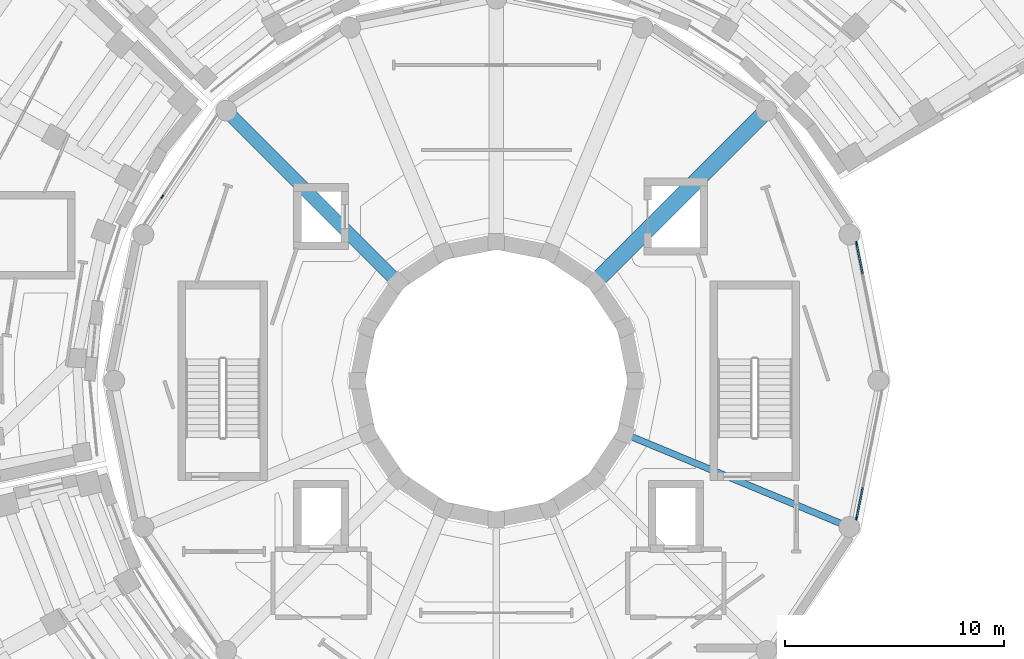
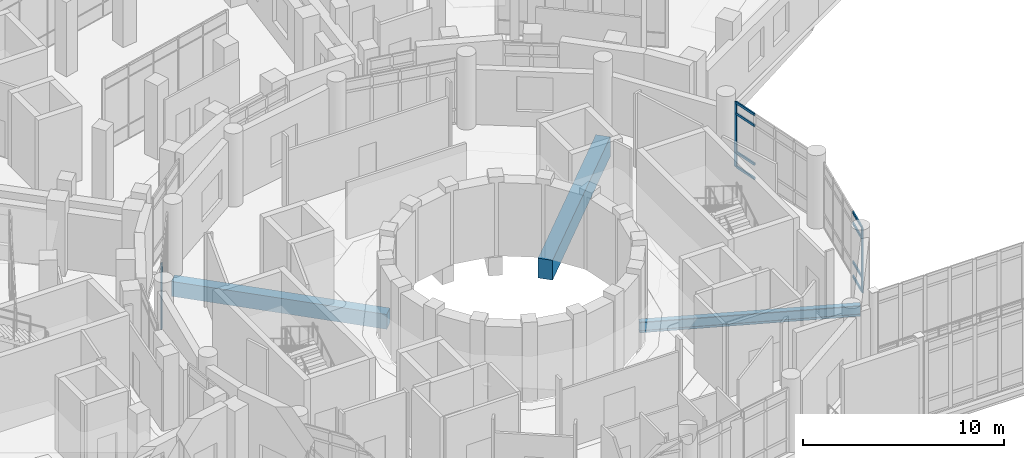
# One storey, part 15 of 89: 11 members, 3 beams, 3 elements without a shape of their own.
"""IFC4 building model written with IfcOpenShell, lengths in metres."""

import ifcopenshell
import ifcopenshell.guid

model = None  # the IFC model being written
_history = None  # IfcOwnerHistory: only IFC2X3 demands one
_inside = {}  # id of a spatial element -> (the spatial element, [elements in it])
_under = {}  # id of a project, library or spatial element -> (it, [spatial elements below it])
_declared = {}  # id of a project -> (the project, [libraries it declares])
_typed = {}  # id of a type object -> (the type object, [elements of that type])
_made_of = {}  # id of a material, layer set ... -> (it, [elements and type objects made of it])


def new_model(schema):
    """Start an empty IFC model of exactly this schema.

    Asked for "IFC4X3", IfcOpenShell would pick the latest addendum, in which some entities
    have other attributes; the version numbers below select the first issue.
    IFC2X3 requires an IfcOwnerHistory on every rooted entity: one is made here for all.
    """
    global model, _history
    if schema == "IFC4X3":
        model = ifcopenshell.file(schema_version=(4, 3, 0, 0))
    else:
        model = ifcopenshell.file(schema=schema)
    _inside.clear()
    _under.clear()
    _declared.clear()
    _typed.clear()
    _made_of.clear()
    _history = None
    if model.schema == "IFC2X3":
        org = make("IfcOrganization", Name="unknown")
        user = make(
            "IfcPersonAndOrganization",
            ThePerson=make("IfcPerson", FamilyName="unknown"),
            TheOrganization=org,
        )
        app = make(
            "IfcApplication",
            ApplicationDeveloper=org,
            Version="unknown",
            ApplicationFullName="unknown",
            ApplicationIdentifier="unknown",
        )
        _history = make(
            "IfcOwnerHistory",
            OwningUser=user,
            OwningApplication=app,
            ChangeAction="ADDED",
            CreationDate=0,
        )
    return model


def make(cls, **values):
    """One entity of the class cls with the attributes given. An attribute that is None is left unset."""
    return model.create_entity(
        cls, **{name: value for name, value in values.items() if value is not None}
    )


def rooted(cls, **values):
    """An entity with a GlobalId (a new one), such as an element, a storey or a relation."""
    return make(cls, GlobalId=ifcopenshell.guid.new(), OwnerHistory=_history, **values)


def si_unit(unit_type, name, prefix=None):
    """IfcSIUnit, for example si_unit("LENGTHUNIT", "METRE", prefix="MILLI")."""
    return make("IfcSIUnit", UnitType=unit_type, Prefix=prefix, Name=name)


def assignment(units):
    """IfcUnitAssignment: the units of a project."""
    return None if units is None else make("IfcUnitAssignment", Units=units)


def point(xyz):
    """IfcCartesianPoint."""
    return None if xyz is None else make("IfcCartesianPoint", Coordinates=xyz)


def direction(xyz):
    """IfcDirection."""
    return None if xyz is None else make("IfcDirection", DirectionRatios=xyz)


def frame(location, z_axis=None, x_axis=None):
    """IfcAxis2Placement3D, a coordinate frame: its origin and axes. An axis left out is left unset."""
    return make(
        "IfcAxis2Placement3D",
        Location=point(location),
        Axis=direction(z_axis),
        RefDirection=direction(x_axis),
    )


def frame_2d(location, x_axis=None):
    """IfcAxis2Placement2D, a coordinate frame in the plane: its origin and x axis."""
    return make(
        "IfcAxis2Placement2D", Location=point(location), RefDirection=direction(x_axis)
    )


def origin():
    """The frame at (0, 0, 0) with its axes left unset."""
    return frame((0.0, 0.0, 0.0))


def origin_2d():
    """The frame at (0, 0) in the plane with its x axis left unset."""
    return frame_2d((0.0, 0.0))


def place(relative_to, where):
    """IfcLocalPlacement: puts the frame where relative to a parent placement (None: the world)."""
    return make(
        "IfcLocalPlacement", PlacementRelTo=relative_to, RelativePlacement=where
    )


def context(
    kind, dimensions, precision=None, world=None, true_north=None, identifier=None
):
    """IfcGeometricRepresentationContext, for example the 3D "Model" context."""
    return make(
        "IfcGeometricRepresentationContext",
        ContextIdentifier=identifier,
        ContextType=kind,
        CoordinateSpaceDimension=dimensions,
        Precision=precision,
        WorldCoordinateSystem=world,
        TrueNorth=true_north,
    )


def subcontext(parent, identifier, kind, view, scale=None):
    """IfcGeometricRepresentationSubContext, for example "Body" below "Model"."""
    return make(
        "IfcGeometricRepresentationSubContext",
        ContextIdentifier=identifier,
        ContextType=kind,
        ParentContext=parent,
        TargetScale=scale,
        TargetView=view,
    )


def project(units=None, contexts=None):
    """IfcProject with its units and contexts."""
    return rooted(
        "IfcProject",
        Name="project",
        RepresentationContexts=contexts,
        UnitsInContext=assignment(units),
    )


def spatial(cls, under=None, at=None, **own):
    """A site, building, storey or space (cls), placed at a placement, below another one or the project."""
    s = rooted(cls, ObjectPlacement=at, **own)
    if under is not None:
        _under.setdefault(under.id(), (under, []))[1].append(s)
    return s


def profile(cls, at=None, kind="AREA", **sizes):
    """A parametric profile (cls). Its sizes go by their IFC names, for example OverallWidth=200.0."""
    return make(cls, ProfileType=kind, Position=at, **sizes)


def rectangle(**sizes):
    """IfcRectangleProfileDef."""
    return profile("IfcRectangleProfileDef", **sizes)


def i_section(**sizes):
    """IfcIShapeProfileDef."""
    return profile("IfcIShapeProfileDef", **sizes)


def extrude(swept, where, along, depth):
    """IfcExtrudedAreaSolid: the profile swept, set in the frame where, extruded along a direction by depth."""
    return make(
        "IfcExtrudedAreaSolid",
        SweptArea=swept,
        Position=where,
        ExtrudedDirection=direction(along),
        Depth=depth,
    )


def shape(context_of_items, identifier, shape_type, items):
    """IfcShapeRepresentation: the items that make up one representation, for example the "Body"."""
    return make(
        "IfcShapeRepresentation",
        ContextOfItems=context_of_items,
        RepresentationIdentifier=identifier,
        RepresentationType=shape_type,
        Items=items,
    )


def material(Name=None, Category=None):
    """IfcMaterial."""
    return make("IfcMaterial", Name=Name, Category=Category)


def material_profile(
    of_material, cross_section, Name=None, Category=None, Priority=None
):
    """IfcMaterialProfile: a cross section and its material."""
    return make(
        "IfcMaterialProfile",
        Name=Name,
        Material=of_material,
        Profile=cross_section,
        Priority=Priority,
        Category=Category,
    )


def profile_set(profiles, Name=None, composite=None):
    """IfcMaterialProfileSet."""
    return make(
        "IfcMaterialProfileSet",
        Name=Name,
        MaterialProfiles=profiles,
        CompositeProfile=composite,
    )


def made_of(thing, what):
    """Note that an element or type object is made of a material, layer set ...; save() writes the relation."""
    if what is not None:
        _made_of.setdefault(what.id(), (what, []))[1].append(thing)
    return thing


def type_object(cls, material=None, **own):
    """A type object (cls), such as IfcWallType, which elements share."""
    return made_of(rooted(cls, **own), material)


def element(
    cls,
    number,
    at=None,
    inside=None,
    cuts=None,
    type_object=None,
    material=None,
    context=None,
    identifier="Body",
    shape_type=None,
    held_by="IfcProductDefinitionShape",
    body=None,
    shapes=None,
    **own,
):
    """One element of the class cls, such as IfcWall. Its Tag is "e" and its number.

    at: its placement. inside: the storey or other place that contains it. cuts: it is an
    opening in that element (IfcRelVoidsElement). A single representation is given by context,
    identifier, shape_type and body (its items); several are given by shapes. held_by: the class
    of the entity that holds the representations. save() writes the other relations.
    """
    e = rooted(cls, Tag="e%d" % number, ObjectPlacement=at, **own)
    if body is not None:
        shapes = [shape(context, identifier, shape_type, body)]
    if shapes is not None:
        e.Representation = make(held_by, Representations=shapes)
    if inside is not None:
        _inside.setdefault(inside.id(), (inside, []))[1].append(e)
    if cuts is not None:
        rooted(
            "IfcRelVoidsElement", RelatingBuildingElement=cuts, RelatedOpeningElement=e
        )
    if type_object is not None:
        _typed.setdefault(type_object.id(), (type_object, []))[1].append(e)
    return made_of(e, material)


def aggregate(whole, parts):
    """IfcRelAggregates: a whole, such as a stair, and the parts it consists of."""
    return rooted("IfcRelAggregates", RelatingObject=whole, RelatedObjects=parts)


def save(model, path):
    """Write the relations noted so far, then the file.

    IfcRelAggregates (storeys below a building ...), IfcRelContainedInSpatialStructure (elements
    in a storey), IfcRelDefinesByType, IfcRelAssociatesMaterial and IfcRelDeclares: one each for
    every whole, place, type object, material and project.
    """
    for whole, parts in _under.values():
        aggregate(whole, parts)
    for where, things in _inside.values():
        rooted(
            "IfcRelContainedInSpatialStructure",
            RelatedElements=things,
            RelatingStructure=where,
        )
    for kind, things in _typed.values():
        rooted("IfcRelDefinesByType", RelatedObjects=things, RelatingType=kind)
    for what, things in _made_of.values():
        rooted("IfcRelAssociatesMaterial", RelatedObjects=things, RelatingMaterial=what)
    for by, libraries in _declared.values():
        rooted("IfcRelDeclares", RelatingContext=by, RelatedDefinitions=libraries)
    model.write(path)


model = new_model("IFC4")

# Units and contexts
model_context = context("Model", 3, precision=1e-05, world=origin(), true_north=direction((0.0, 1.0)))
body_context = subcontext(model_context, "Body", "Model", "MODEL_VIEW")
ifc_project = project(units=[si_unit("LENGTHUNIT", "METRE"), si_unit("AREAUNIT", "SQUARE_METRE"), si_unit("VOLUMEUNIT", "CUBIC_METRE"), si_unit("PLANEANGLEUNIT", "RADIAN"), si_unit("MASSUNIT", "GRAM", prefix="KILO")], contexts=[model_context])

# Site, building, storey
site_placement = place(None, origin())
site = spatial("IfcSite", under=ifc_project, at=site_placement, CompositionType="ELEMENT")
building_placement = place(site_placement, origin())
building = spatial("IfcBuilding", under=site, at=building_placement, Name="Soyqirgoq Riverine Aquarium", CompositionType="ELEMENT")
storey_placement = place(building_placement, frame((0.0, 0.0, 5.39990234375)))
storey = spatial("IfcBuildingStorey", under=building, at=storey_placement, Name="L02", CompositionType="ELEMENT", Elevation=5.39990234375)

# Curtain wall, member
ifc_material_1 = material(Name="Anodised aluminium thermally broken triple low-E glazing", Category="aluminium")
curtain_wall_type = type_object("IfcCurtainWallType", Name="CW_DrumGallery_Unitised", PredefinedType="NOTDEFINED", material=ifc_material_1)
curtain_wall_1_placement = place(storey_placement, origin())
curtain_wall_1 = element("IfcCurtainWall", 1, at=curtain_wall_1_placement, inside=storey, type_object=curtain_wall_type, Name="V1 L02 Curtain Wall 002", PredefinedType="NOTDEFINED")
ifc_material_2 = material(Name="Anodised aluminium 6063-T6", Category="aluminium")
ifc_material_profile_1 = material_profile(ifc_material_2, rectangle(XDim=0.06494140625, YDim=0.179931640625, at=origin_2d()), Name="ALU-M 65x180")
ifc_profile_set_1 = profile_set([ifc_material_profile_1], Name="Anodised aluminium 6063-T6")
member_type_1 = type_object("IfcMemberType", Name="CWMullion_65x180", PredefinedType="MULLION", material=ifc_profile_set_1)
member_1_placement = place(storey_placement, frame((72.452392578125, 63.2724609375, 0.0), z_axis=(0.0, 0.0, 1.0), x_axis=(-0.980785709335, -0.195088165618, 0.0)))
member_1 = element("IfcMember", 2, at=member_1_placement, type_object=member_type_1, Name="CW-01 mullion 5", PredefinedType="MULLION", context=body_context, shape_type="SweptSolid", body=[
    extrude(rectangle(XDim=0.06494140625, YDim=0.179931640625, at=origin_2d()), origin(), (0.0, 0.0, 1.0), 3.9501953125),
])

curtain_wall_2_placement = place(storey_placement, origin())
curtain_wall_2 = element("IfcCurtainWall", 3, at=curtain_wall_2_placement, inside=storey, type_object=curtain_wall_type, Name="V1 L02 Curtain Wall 024", PredefinedType="NOTDEFINED")
member_2_placement = place(storey_placement, frame((40.7392578125, 65.407958984375, 0.0), z_axis=(0.0, 0.0, 1.0), x_axis=(0.8314732256, -0.5555648253, 0.0)))
member_2 = element("IfcMember", 4, at=member_2_placement, type_object=member_type_1, Name="CW-01 mullion 4", PredefinedType="MULLION", context=body_context, shape_type="SweptSolid", body=[
    extrude(rectangle(XDim=0.06494140625, YDim=0.179931640625, at=origin_2d()), origin(), (0.0, 0.0, 1.0), 3.9501953125),
])
aggregate(curtain_wall_2, [member_2])

curtain_wall_3_placement = place(storey_placement, origin())
curtain_wall_3 = element("IfcCurtainWall", 5, at=curtain_wall_3_placement, inside=storey, type_object=curtain_wall_type, Name="V1 L02 Curtain Wall 073", PredefinedType="NOTDEFINED")
member_3_placement = place(storey_placement, frame((72.452392578125, 50.7275390625, 0.0), z_axis=(0.0, 0.0, 1.0), x_axis=(-0.980785709335, 0.195088165618, 0.0)))
member_3 = element("IfcMember", 6, at=member_3_placement, type_object=member_type_1, Name="CW-01 mullion 1", PredefinedType="MULLION", context=body_context, shape_type="SweptSolid", body=[
    extrude(rectangle(XDim=0.06494140625, YDim=0.179931640625, at=origin_2d()), origin(), (0.0, 0.0, 1.0), 3.9501953125),
])

# Member
ifc_material_3 = material(Name="Anodised aluminium 6063-T6", Category="aluminium")
ifc_material_profile_2 = material_profile(ifc_material_3, rectangle(XDim=0.074951171875, YDim=0.14990234375, at=origin_2d()), Name="ALU-T 75x150")
ifc_profile_set_2 = profile_set([ifc_material_profile_2], Name="Anodised aluminium 6063-T6")
member_type_2 = type_object("IfcMemberType", Name="CWTransom_75x150", PredefinedType="USERDEFINED", material=ifc_profile_set_2)
member_4_placement = place(storey_placement, frame((72.729736328125, 61.87744140625, 0.03759765625), z_axis=(-0.194967543169, 0.980809694645, 0.0), x_axis=(-0.980809694645, -0.194967543169, 0.0)))
member_4 = element("IfcMember", 7, at=member_4_placement, type_object=member_type_2, Name="CW-01 transom 4.1", ObjectType="TRANSOM", PredefinedType="USERDEFINED", context=body_context, shape_type="SweptSolid", body=[
    extrude(rectangle(XDim=0.074951171875, YDim=0.14990234375, at=origin_2d()), origin(), (0.0, 0.0, 1.0), 1.389892578125),
])

member_5_placement = place(storey_placement, frame((72.729736328125, 61.87744140625, 0.900146484375), z_axis=(-0.194967543169, 0.980809694645, 0.0), x_axis=(-0.980809694645, -0.194967543169, 0.0)))
member_5 = element("IfcMember", 8, at=member_5_placement, type_object=member_type_2, Name="CW-01 transom 4.2", ObjectType="TRANSOM", PredefinedType="USERDEFINED", context=body_context, shape_type="SweptSolid", body=[
    extrude(rectangle(XDim=0.074951171875, YDim=0.14990234375, at=origin_2d()), origin(), (0.0, 0.0, 1.0), 1.389892578125),
])

member_6_placement = place(storey_placement, frame((72.729736328125, 61.87744140625, 3.25), z_axis=(-0.194967543169, 0.980809694645, 0.0), x_axis=(-0.980809694645, -0.194967543169, 0.0)))
member_6 = element("IfcMember", 9, at=member_6_placement, type_object=member_type_2, Name="CW-01 transom 4.3", ObjectType="TRANSOM", PredefinedType="USERDEFINED", context=body_context, shape_type="SweptSolid", body=[
    extrude(rectangle(XDim=0.074951171875, YDim=0.14990234375, at=origin_2d()), origin(), (0.0, 0.0, 1.0), 1.389892578125),
])

member_7_placement = place(storey_placement, frame((72.729736328125, 61.87744140625, 3.91259765625), z_axis=(-0.194967543169, 0.980809694645, 0.0), x_axis=(-0.980809694645, -0.194967543169, 0.0)))
member_7 = element("IfcMember", 10, at=member_7_placement, type_object=member_type_2, Name="CW-01 transom 4.4", ObjectType="TRANSOM", PredefinedType="USERDEFINED", context=body_context, shape_type="SweptSolid", body=[
    extrude(rectangle(XDim=0.074951171875, YDim=0.14990234375, at=origin_2d()), origin(), (0.0, 0.0, 1.0), 1.389892578125),
])

aggregate(curtain_wall_1, [member_1, member_4, member_5, member_6, member_7])

member_8_placement = place(storey_placement, frame((72.458740234375, 50.75927734375, 0.03759765625), z_axis=(0.194967543169, 0.980809694645, 0.0), x_axis=(-0.980809694645, 0.194967543169, 0.0)))
member_8 = element("IfcMember", 11, at=member_8_placement, type_object=member_type_2, Name="CW-01 transom 1.1", ObjectType="TRANSOM", PredefinedType="USERDEFINED", context=body_context, shape_type="SweptSolid", body=[
    extrude(rectangle(XDim=0.074951171875, YDim=0.14990234375, at=origin_2d()), origin(), (0.0, 0.0, 1.0), 1.389892578125),
])

member_9_placement = place(storey_placement, frame((72.458740234375, 50.75927734375, 0.900146484375), z_axis=(0.194967543169, 0.980809694645, 0.0), x_axis=(-0.980809694645, 0.194967543169, 0.0)))
member_9 = element("IfcMember", 12, at=member_9_placement, type_object=member_type_2, Name="CW-01 transom 1.2", ObjectType="TRANSOM", PredefinedType="USERDEFINED", context=body_context, shape_type="SweptSolid", body=[
    extrude(rectangle(XDim=0.074951171875, YDim=0.14990234375, at=origin_2d()), origin(), (0.0, 0.0, 1.0), 1.389892578125),
])

member_10_placement = place(storey_placement, frame((72.458740234375, 50.75927734375, 3.25), z_axis=(0.194967543169, 0.980809694645, 0.0), x_axis=(-0.980809694645, 0.194967543169, 0.0)))
member_10 = element("IfcMember", 13, at=member_10_placement, type_object=member_type_2, Name="CW-01 transom 1.3", ObjectType="TRANSOM", PredefinedType="USERDEFINED", context=body_context, shape_type="SweptSolid", body=[
    extrude(rectangle(XDim=0.074951171875, YDim=0.14990234375, at=origin_2d()), origin(), (0.0, 0.0, 1.0), 1.389892578125),
])

member_11_placement = place(storey_placement, frame((72.458740234375, 50.75927734375, 3.91259765625), z_axis=(0.194967543169, 0.980809694645, 0.0), x_axis=(-0.980809694645, 0.194967543169, 0.0)))
member_11 = element("IfcMember", 14, at=member_11_placement, type_object=member_type_2, Name="CW-01 transom 1.4", ObjectType="TRANSOM", PredefinedType="USERDEFINED", context=body_context, shape_type="SweptSolid", body=[
    extrude(rectangle(XDim=0.074951171875, YDim=0.14990234375, at=origin_2d()), origin(), (0.0, 0.0, 1.0), 1.389892578125),
])

aggregate(curtain_wall_3, [member_3, member_8, member_9, member_10, member_11])

# Beams
ifc_material_4 = material(Name="Concrete C40/50", Category="concrete")
ifc_material_profile_3 = material_profile(ifc_material_4, rectangle(XDim=0.60009765625, YDim=0.89990234375, at=origin_2d()), Name="RC 600x900")
ifc_profile_set_3 = profile_set([ifc_material_profile_3], Name="Concrete C40/50")
beam_type_1 = type_object("IfcBeamType", Name="Girder_RC_600x900", PredefinedType="BEAM", material=ifc_profile_set_3)
beam_1_placement = place(storey_placement, frame((51.502685546875, 61.497314453125, -0.7998046875), z_axis=(-0.707106781187, 0.707106781187, 0.0), x_axis=(-0.707106781187, -0.707106781187, 0.0)))
element("IfcBeam", 15, at=beam_1_placement, inside=storey, type_object=beam_type_1, Name="V1 L02 Gallery Radial Beam 0044", PredefinedType="BEAM", context=body_context, shape_type="SweptSolid", body=[
    extrude(rectangle(XDim=0.60009765625, YDim=0.89990234375, at=origin_2d()), origin(), (0.0, 0.0, 1.0), 11.07958984375),
])
ifc_material_5 = material(Name="Concrete C40/50", Category="concrete")
ifc_material_profile_4 = material_profile(ifc_material_5, rectangle(XDim=0.75, YDim=1.199951171875, at=origin_2d()), Name="RC 750x1200")
ifc_profile_set_4 = profile_set([ifc_material_profile_4], Name="Concrete C40/50")
beam_type_2 = type_object("IfcBeamType", Name="Girder_RC_750x1200", PredefinedType="BEAM", material=ifc_profile_set_4)
beam_2_placement = place(storey_placement, frame((60.497314453125, 61.497314453125, -0.949951171875), z_axis=(0.707106781187, 0.707106781187, 0.0), x_axis=(-0.707106781187, 0.707106781187, 0.0)))
element("IfcBeam", 16, at=beam_2_placement, inside=storey, type_object=beam_type_2, Name="V1 L02 Gallery Radial Beam 0036", PredefinedType="BEAM", context=body_context, shape_type="SweptSolid", body=[
    extrude(rectangle(XDim=0.75, YDim=1.199951171875, at=origin_2d()), origin(), (0.0, 0.0, 1.0), 11.07958984375),
])
ifc_material_6 = material(Name="Structural steel S355", Category="steel")
ifc_material_profile_5 = material_profile(ifc_material_6, i_section(OverallWidth=0.300048828125, OverallDepth=0.64990234375, WebThickness=0.01611328125, FlangeThickness=0.031005859375, FilletRadius=0.027099609375, at=origin_2d()), Name="HEB 650")
ifc_profile_set_5 = profile_set([ifc_material_profile_5], Name="Structural steel S355")
beam_type_3 = type_object("IfcBeamType", Name="SteelGirder_HEB650", PredefinedType="BEAM", material=ifc_profile_set_5)
beam_3_placement = place(storey_placement, frame((61.875732421875, 54.566162109375, -0.6748046875), z_axis=(0.923879335189, -0.382683908742, 0.0), x_axis=(0.382683908742, 0.923879335189, 0.0)))
element("IfcBeam", 17, at=beam_3_placement, inside=storey, type_object=beam_type_3, Name="V1 L02 Gallery Radial Beam 0060", PredefinedType="BEAM", context=body_context, shape_type="SweptSolid", body=[
    extrude(i_section(OverallWidth=0.300048828125, OverallDepth=0.64990234375, WebThickness=0.01611328125, FlangeThickness=0.031005859375, FilletRadius=0.027099609375, at=origin_2d()), origin(), (0.0, 0.0, 1.0), 11.080322265625),
])

save(model, "model.ifc")
